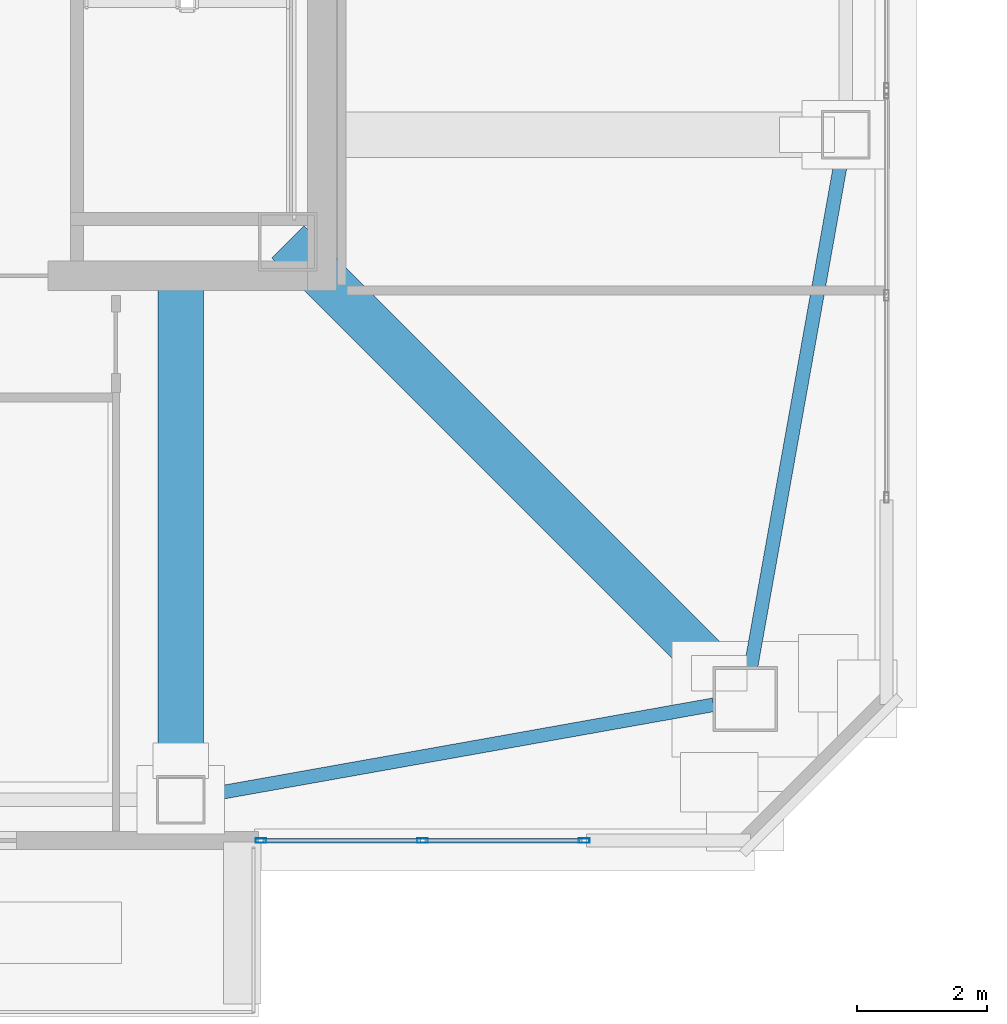
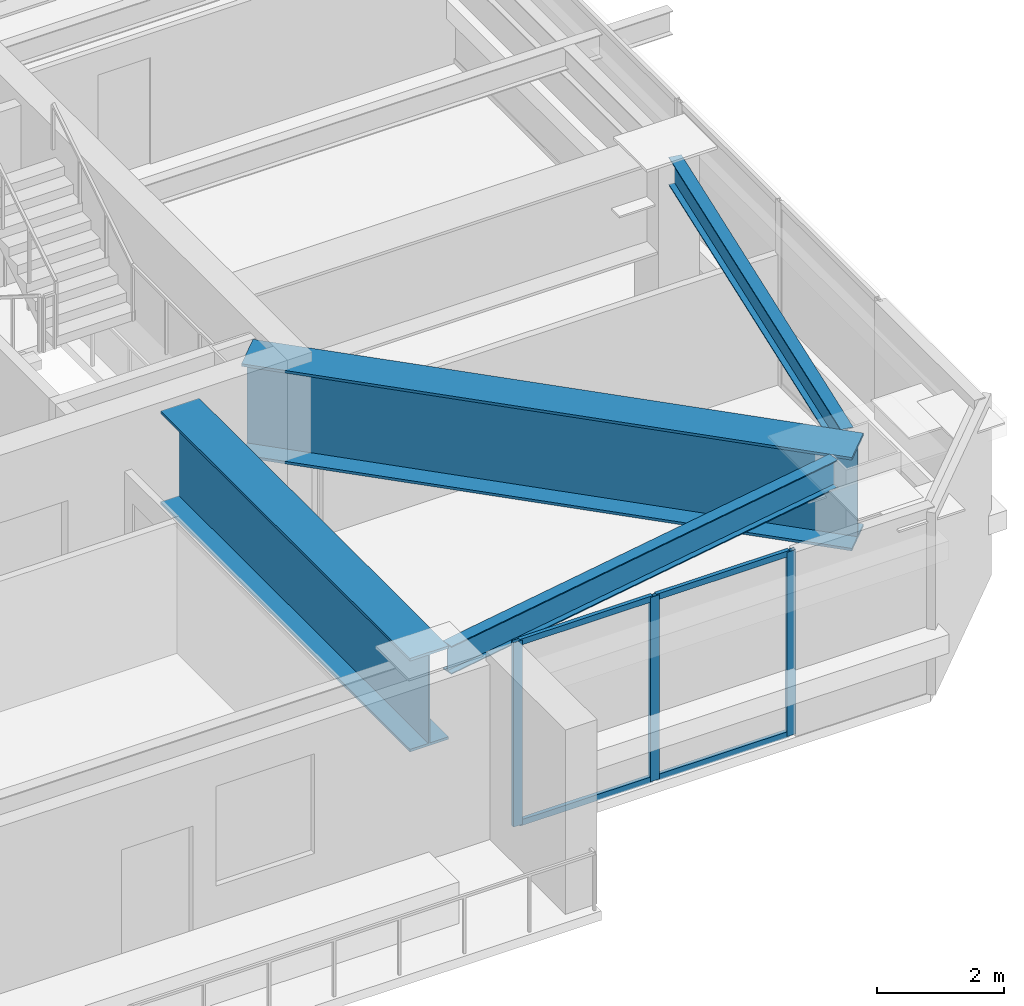
# One storey, part 6 of 40: 7 members, 4 beams, 1 element without a shape of its own.
"""IFC4 building model written with IfcOpenShell, lengths in metres."""

from ifc_helpers import new_model, si_unit, direction, frame, origin, origin_2d, place, context, subcontext, project, spatial, hollow_rectangle, i_section, extrude, material, material_profile, profile_set, type_object, element, aggregate, save


model = new_model("IFC4")

# Units and contexts
model_context = context("Model", 3, precision=1e-05, world=origin(), true_north=direction((0.0, 1.0)))
body_context = subcontext(model_context, "Body", "Model", "MODEL_VIEW")
ifc_project = project(units=[si_unit("LENGTHUNIT", "METRE"), si_unit("AREAUNIT", "SQUARE_METRE"), si_unit("VOLUMEUNIT", "CUBIC_METRE"), si_unit("PLANEANGLEUNIT", "RADIAN"), si_unit("MASSUNIT", "GRAM", prefix="KILO")], contexts=[model_context])

# Site, building, storey
site_placement = place(None, origin())
site = spatial("IfcSite", under=ifc_project, at=site_placement, CompositionType="ELEMENT")
building_placement = place(site_placement, origin())
building = spatial("IfcBuilding", under=site, at=building_placement, Name="Tashvorn Skyway Center", CompositionType="ELEMENT")
storey_placement = place(building_placement, frame((0.0, 0.0, 229.050048828125)))
storey = spatial("IfcBuildingStorey", under=building, at=storey_placement, Name="L62", CompositionType="ELEMENT", Elevation=229.050048828125)

# Beams
ifc_material_1 = material(Name="Steel ASTM A572 Grade 50", Category="steel")
ifc_material_profile_1 = material_profile(ifc_material_1, i_section(OverallWidth=0.699951171875, OverallDepth=1.800048828125, WebThickness=0.031982421875, FlangeThickness=0.050048828125, at=origin_2d()), Name="PG1800x700")
ifc_profile_set_1 = profile_set([ifc_material_profile_1], Name="Steel ASTM A572 Grade 50")
beam_type_1 = type_object("IfcBeamType", Name="BM-BEAM-PG1800x700", PredefinedType="BEAM", material=ifc_profile_set_1)
beam_1_placement = place(storey_placement, frame((56.10009765625, 17.89990234375, 2.469970703125), z_axis=(-0.707106781187, 0.707106781187, 0.0), x_axis=(-0.707106781187, -0.707106781187, 0.0)))
element("IfcBeam", 1, at=beam_1_placement, inside=storey, type_object=beam_type_1, Name="Tower 1 L62 Setback Transfer Girder MC-SE", PredefinedType="BEAM", context=body_context, shape_type="SweptSolid", body=[
    extrude(i_section(OverallWidth=0.699951171875, OverallDepth=1.800048828125, WebThickness=0.031982421875, FlangeThickness=0.050048828125, at=origin_2d()), origin(), (0.0, 0.0, 1.0), 9.97021484375),
])
beam_2_placement = place(storey_placement, frame((47.39990234375, 16.35009765625, 2.469970703125), z_axis=(0.0, 1.0, 0.0), x_axis=(-1.0, 0.0, 0.0)))
element("IfcBeam", 2, at=beam_2_placement, inside=storey, type_object=beam_type_1, Name="Tower 1 L62 Setback Transfer Girder FC-S2", PredefinedType="BEAM", context=body_context, shape_type="SweptSolid", body=[
    extrude(i_section(OverallWidth=0.699951171875, OverallDepth=1.800048828125, WebThickness=0.031982421875, FlangeThickness=0.050048828125, at=origin_2d()), origin(), (0.0, 0.0, 1.0), 7.869873046875),
])
ifc_material_2 = material(Name="Steel ASTM A992 Grade 50", Category="steel")
ifc_material_profile_2 = material_profile(ifc_material_2, i_section(OverallWidth=0.2109375, OverallDepth=0.5390625, WebThickness=0.01171875, FlangeThickness=0.018798828125, at=origin_2d()), Name="W21X73")
ifc_profile_set_2 = profile_set([ifc_material_profile_2], Name="Steel ASTM A992 Grade 50")
beam_type_2 = type_object("IfcBeamType", Name="BM-SPANDREL-W21X73", PredefinedType="SPANDREL", material=ifc_profile_set_2)
for number, where, z_axis, x_axis, name in (
    (3, (47.76416015625, 16.414794921875, 3.100341796875), (0.984494883191, 0.17541329759, 0.0), (-0.17541329759, 0.984494883191, 0.0), "Tower 1 L62 Spandrel Beam 03"),
    (4, (56.186767578125, 18.38720703125, 3.100341796875), (0.17541329759, 0.984494883191, 0.0), (-0.984494883191, 0.17541329759, 0.0), "Tower 1 L62 Spandrel Beam 04"),
):
    element("IfcBeam", number, at=place(storey_placement, frame(where, z_axis=z_axis, x_axis=x_axis)), inside=storey, type_object=beam_type_2, Name=name, PredefinedType="SPANDREL", context=body_context, shape_type="SweptSolid", body=[
        extrude(i_section(OverallWidth=0.2109375, OverallDepth=0.5390625, WebThickness=0.01171875, FlangeThickness=0.018798828125, at=origin_2d()), origin(), (0.0, 0.0, 1.0), 7.97216796875),
    ])

# Curtain wall, members
ifc_material_3 = material(Name="Thermally broken bronze-anodized aluminium 6063-T6", Category="aluminium")
curtain_wall_type = type_object("IfcCurtainWallType", Name="CW-CW-Z5", PredefinedType="NOTDEFINED", material=ifc_material_3)
curtain_wall_placement = place(storey_placement, origin())
curtain_wall = element("IfcCurtainWall", 5, at=curtain_wall_placement, inside=storey, type_object=curtain_wall_type, Name="Tower 1 L62 South Curtain Wall L Glazing Group 1", PredefinedType="NOTDEFINED")
ifc_material_profile_3 = material_profile(ifc_material_3, hollow_rectangle(XDim=0.070068359375, YDim=0.1650390625, WallThickness=0.00390625, at=origin_2d()), Name="ALU-MULL-70x165")
ifc_profile_set_3 = profile_set([ifc_material_profile_3], Name="Thermally broken bronze-anodized aluminium 6063-T6")
member_type_1 = type_object("IfcMemberType", Name="CWM-CW-Z5", PredefinedType="MULLION", material=ifc_profile_set_3)
member_1_placement = place(storey_placement, frame((53.618408203125, 15.719970703125, 0.0), z_axis=(0.0, 0.0, 1.0), x_axis=(0.0, -1.0, 0.0)))
member_1 = element("IfcMember", 6, at=member_1_placement, type_object=member_type_1, Name="CW-Z5 mullion 1", PredefinedType="MULLION", context=body_context, shape_type="SweptSolid", body=[
    extrude(hollow_rectangle(XDim=0.070068359375, YDim=0.1650390625, WallThickness=0.00390625, at=origin_2d()), origin(), (0.0, 0.0, 1.0), 3.550048828125),
])
member_2_placement = place(storey_placement, frame((51.126708984375, 15.719970703125, 0.0), z_axis=(0.0, 0.0, 1.0), x_axis=(0.0, -1.0, 0.0)))
member_2 = element("IfcMember", 7, at=member_2_placement, type_object=member_type_1, Name="CW-Z5 mullion 2", PredefinedType="MULLION", context=body_context, shape_type="SweptSolid", body=[
    extrude(hollow_rectangle(XDim=0.070068359375, YDim=0.1650390625, WallThickness=0.00390625, at=origin_2d()), origin(), (0.0, 0.0, 1.0), 3.550048828125),
])
member_3_placement = place(storey_placement, frame((48.635009765625, 15.719970703125, 0.0), z_axis=(0.0, 0.0, 1.0), x_axis=(0.0, -1.0, 0.0)))
member_3 = element("IfcMember", 8, at=member_3_placement, type_object=member_type_1, Name="CW-Z5 mullion 3", PredefinedType="MULLION", context=body_context, shape_type="SweptSolid", body=[
    extrude(hollow_rectangle(XDim=0.070068359375, YDim=0.1650390625, WallThickness=0.00390625, at=origin_2d()), origin(), (0.0, 0.0, 1.0), 3.550048828125),
])
ifc_material_profile_4 = material_profile(ifc_material_3, hollow_rectangle(XDim=0.070068359375, YDim=0.114990234375, WallThickness=0.00390625, at=origin_2d()), Name="ALU-TRAN-70x115")
ifc_profile_set_4 = profile_set([ifc_material_profile_4], Name="Thermally broken bronze-anodized aluminium 6063-T6")
member_type_2 = type_object("IfcMemberType", Name="CWT-CW-Z5", PredefinedType="USERDEFINED", material=ifc_profile_set_4)
member_4_placement = place(storey_placement, frame((53.583251953125, 15.719970703125, 0.034912109375), z_axis=(-1.0, 0.0, 0.0), x_axis=(0.0, -1.0, 0.0)))
member_4 = element("IfcMember", 9, at=member_4_placement, type_object=member_type_2, Name="CW-Z5 transom 1.1", ObjectType="TRANSOM", PredefinedType="USERDEFINED", context=body_context, shape_type="SweptSolid", body=[
    extrude(hollow_rectangle(XDim=0.070068359375, YDim=0.114990234375, WallThickness=0.00390625, at=origin_2d()), origin(), (0.0, 0.0, 1.0), 2.421630859375),
])
member_5_placement = place(storey_placement, frame((53.583251953125, 15.719970703125, 3.514892578125), z_axis=(-1.0, 0.0, 0.0), x_axis=(0.0, -1.0, 0.0)))
member_5 = element("IfcMember", 10, at=member_5_placement, type_object=member_type_2, Name="CW-Z5 transom 1.2", ObjectType="TRANSOM", PredefinedType="USERDEFINED", context=body_context, shape_type="SweptSolid", body=[
    extrude(hollow_rectangle(XDim=0.070068359375, YDim=0.114990234375, WallThickness=0.00390625, at=origin_2d()), origin(), (0.0, 0.0, 1.0), 2.421630859375),
])
member_6_placement = place(storey_placement, frame((51.091552734375, 15.719970703125, 0.034912109375), z_axis=(-1.0, 0.0, 0.0), x_axis=(0.0, -1.0, 0.0)))
member_6 = element("IfcMember", 11, at=member_6_placement, type_object=member_type_2, Name="CW-Z5 transom 2.1", ObjectType="TRANSOM", PredefinedType="USERDEFINED", context=body_context, shape_type="SweptSolid", body=[
    extrude(hollow_rectangle(XDim=0.070068359375, YDim=0.114990234375, WallThickness=0.00390625, at=origin_2d()), origin(), (0.0, 0.0, 1.0), 2.421630859375),
])
member_7_placement = place(storey_placement, frame((51.091552734375, 15.719970703125, 3.514892578125), z_axis=(-1.0, 0.0, 0.0), x_axis=(0.0, -1.0, 0.0)))
member_7 = element("IfcMember", 12, at=member_7_placement, type_object=member_type_2, Name="CW-Z5 transom 2.2", ObjectType="TRANSOM", PredefinedType="USERDEFINED", context=body_context, shape_type="SweptSolid", body=[
    extrude(hollow_rectangle(XDim=0.070068359375, YDim=0.114990234375, WallThickness=0.00390625, at=origin_2d()), origin(), (0.0, 0.0, 1.0), 2.421630859375),
])
aggregate(curtain_wall, [member_1, member_2, member_3, member_4, member_5, member_6, member_7])

save(model, "model.ifc")
